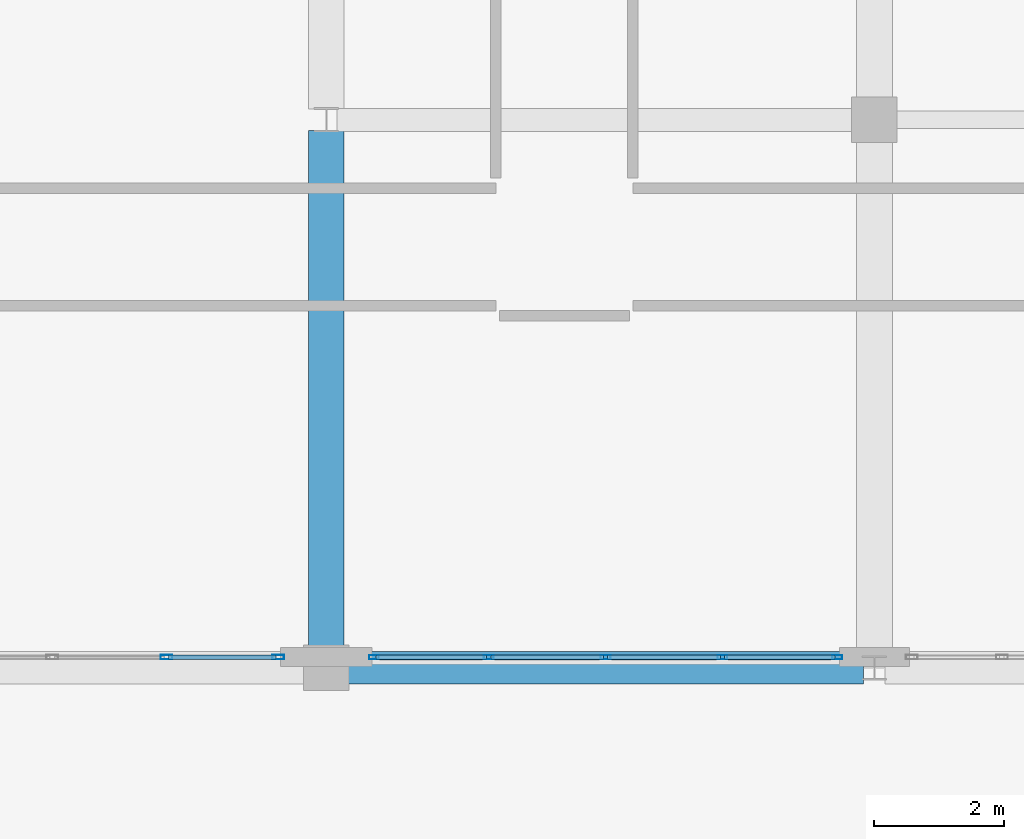
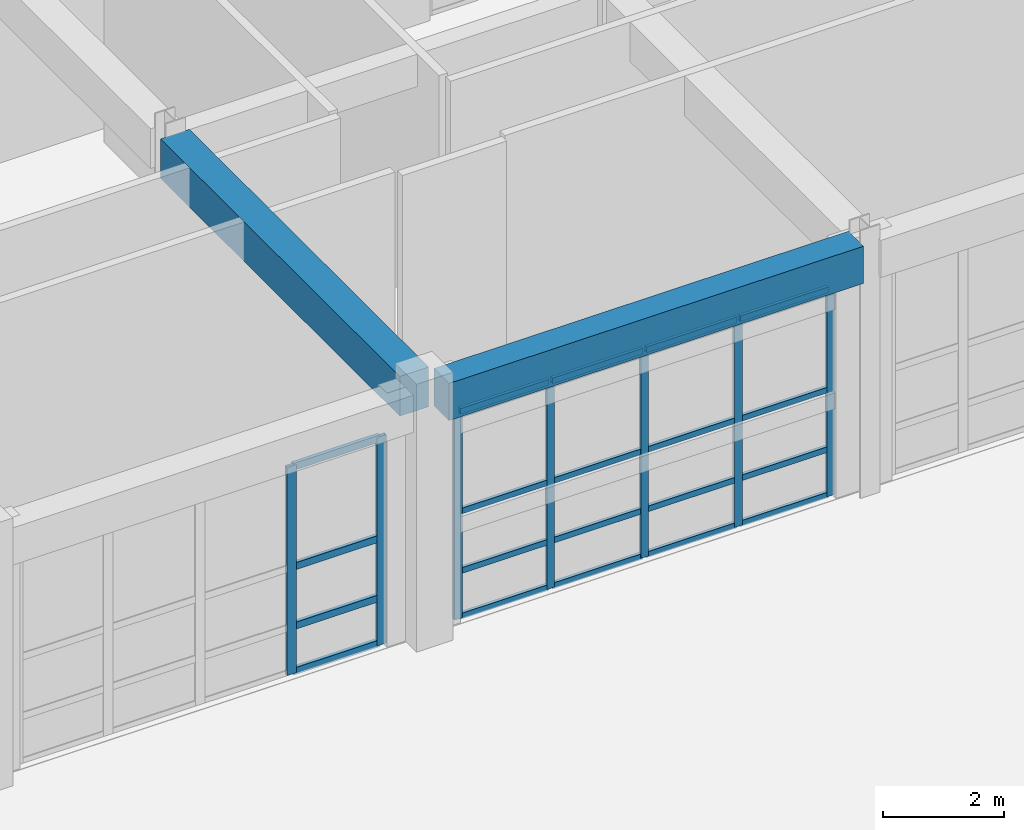
# One storey, part 66 of 148: 27 members, 2 beams, 2 elements without a shape of their own.
"""IFC4 building model written with IfcOpenShell, lengths in metres."""

from ifc_helpers import new_model, si_unit, direction, frame, origin, origin_2d, place, context, subcontext, project, spatial, rectangle, hollow_rectangle, extrude, material, layer, layer_set, material_profile, profile_set, type_object, element, aggregate, save


model = new_model("IFC4")

# Units and contexts
model_context = context("Model", 3, precision=1e-05, world=origin(), true_north=direction((0.0, 1.0)))
body_context = subcontext(model_context, "Body", "Model", "MODEL_VIEW")
ifc_project = project(units=[si_unit("LENGTHUNIT", "METRE"), si_unit("AREAUNIT", "SQUARE_METRE"), si_unit("VOLUMEUNIT", "CUBIC_METRE"), si_unit("PLANEANGLEUNIT", "RADIAN"), si_unit("MASSUNIT", "GRAM", prefix="KILO")], contexts=[model_context])

# Site, building, storey
site_placement = place(None, origin())
site = spatial("IfcSite", under=ifc_project, at=site_placement, CompositionType="ELEMENT")
building_placement = place(site_placement, origin())
building = spatial("IfcBuilding", under=site, at=building_placement, Name="Quendrovan Civic Courthouse", CompositionType="ELEMENT")
storey_placement = place(building_placement, origin())
storey = spatial("IfcBuildingStorey", under=building, at=storey_placement, Name="L01", CompositionType="ELEMENT", Elevation=0.0)

# Beams
ifc_material_1 = material(Name="Concrete C40/50", Category="concrete")
ifc_material_profile_1 = material_profile(ifc_material_1, rectangle(XDim=0.5, YDim=0.75, at=origin_2d()), Name="RC-BM-500x750")
ifc_profile_set_1 = profile_set([ifc_material_profile_1], Name="Concrete C40/50")
beam_type_1 = type_object("IfcBeamType", Name="BM-RC750", PredefinedType="SPANDREL", material=ifc_profile_set_1)
beam_1_placement = place(storey_placement, frame((84.330078125, 64.800048828125, 4.7451171875), z_axis=(1.0, 0.0, 0.0), x_axis=(0.0, 1.0, 0.0)))
element("IfcBeam", 1, at=beam_1_placement, inside=storey, type_object=beam_type_1, Name="L01 Girder X0295", PredefinedType="SPANDREL", context=body_context, shape_type="SweptSolid", body=[
    extrude(rectangle(XDim=0.5, YDim=0.75, at=origin_2d()), origin(), (0.0, 0.0, 1.0), 7.90283203125),
])
ifc_material_profile_2 = material_profile(ifc_material_1, rectangle(XDim=0.550048828125, YDim=0.800048828125, at=origin_2d()), Name="RC-BM-550x800")
ifc_profile_set_2 = profile_set([ifc_material_profile_2], Name="Concrete C40/50")
beam_type_2 = type_object("IfcBeamType", Name="BM-RC800", PredefinedType="BEAM", material=ifc_profile_set_2)
beam_2_placement = place(storey_placement, frame((84.0, 65.1298828125, 4.719970703125), z_axis=(0.0, 1.0, 0.0), x_axis=(-1.0, 0.0, 0.0)))
element("IfcBeam", 2, at=beam_2_placement, inside=storey, type_object=beam_type_2, Name="L01 Girder Y0436", PredefinedType="BEAM", context=body_context, shape_type="SweptSolid", body=[
    extrude(rectangle(XDim=0.550048828125, YDim=0.800048828125, at=origin_2d()), origin(), (0.0, 0.0, 1.0), 7.904052734375),
])

# Curtain wall, members
ifc_material_2 = material(Name="Bronze anodised aluminium and low-E glass", Category="aluminium")
ifc_layer_1 = layer(ifc_material_2, 0.179931640625, Name="Bronze anodised aluminium and low-E glass")
ifc_layer_set_1 = layer_set([ifc_layer_1], Name="Bronze anodised aluminium and low-E glass")
curtain_wall_type_1 = type_object("IfcCurtainWallType", Name="CW-U70x42", PredefinedType="USERDEFINED", material=ifc_layer_set_1)
curtain_wall_1_placement = place(storey_placement, origin())
curtain_wall_1 = element("IfcCurtainWall", 3, at=curtain_wall_1_placement, inside=storey, type_object=curtain_wall_type_1, Name="L01 Unitised Hurricane Curtain Wall CW-060", ObjectType="UNITISED CURTAIN WALL", PredefinedType="USERDEFINED")
ifc_material_3 = material(Name="Bronze anodised aluminium", Category="aluminium")
ifc_material_profile_3 = material_profile(ifc_material_3, hollow_rectangle(XDim=0.070068359375, YDim=0.179931640625, WallThickness=0.00390625, at=origin_2d()), Name="CW-MULL-70x180")
ifc_profile_set_3 = profile_set([ifc_material_profile_3], Name="Bronze anodised aluminium")
member_type_1 = type_object("IfcMemberType", Name="CW-MULL-A", PredefinedType="MULLION", material=ifc_profile_set_3)
member_1_placement = place(storey_placement, frame((83.264892578125, 64.965087890625, 0.0), z_axis=(0.0, 0.0, 1.0), x_axis=(0.0, -1.0, 0.0)))
member_1 = element("IfcMember", 4, at=member_1_placement, type_object=member_type_1, Name="CW-060 mullion 1", PredefinedType="MULLION", context=body_context, shape_type="SweptSolid", body=[
    extrude(hollow_rectangle(XDim=0.070068359375, YDim=0.179931640625, WallThickness=0.00390625, at=origin_2d()), origin(), (0.0, 0.0, 1.0), 4.199951171875),
])
member_2_placement = place(storey_placement, frame((81.550048828125, 64.965087890625, 0.0), z_axis=(0.0, 0.0, 1.0), x_axis=(0.0, -1.0, 0.0)))
member_2 = element("IfcMember", 5, at=member_2_placement, type_object=member_type_1, Name="CW-060 mullion 2", PredefinedType="MULLION", context=body_context, shape_type="SweptSolid", body=[
    extrude(hollow_rectangle(XDim=0.070068359375, YDim=0.179931640625, WallThickness=0.00390625, at=origin_2d()), origin(), (0.0, 0.0, 1.0), 4.199951171875),
])

ifc_layer_2 = layer(ifc_material_2, 0.179931640625, Name="Bronze anodised aluminium and low-E glass")
ifc_layer_set_2 = layer_set([ifc_layer_2], Name="Bronze anodised aluminium and low-E glass")
curtain_wall_type_2 = type_object("IfcCurtainWallType", Name="CW-U72x42", PredefinedType="USERDEFINED", material=ifc_layer_set_2)
curtain_wall_2_placement = place(storey_placement, origin())
curtain_wall_2 = element("IfcCurtainWall", 6, at=curtain_wall_2_placement, inside=storey, type_object=curtain_wall_type_2, Name="L01 Unitised Hurricane Curtain Wall CW-059", ObjectType="UNITISED CURTAIN WALL", PredefinedType="USERDEFINED")
ifc_material_profile_4 = material_profile(ifc_material_3, hollow_rectangle(XDim=0.06494140625, YDim=0.14990234375, WallThickness=0.00390625, at=origin_2d()), Name="CW-MULL-65x150")
ifc_profile_set_4 = profile_set([ifc_material_profile_4], Name="Bronze anodised aluminium")
member_type_2 = type_object("IfcMemberType", Name="CW-MULL-B", PredefinedType="MULLION", material=ifc_profile_set_4)
member_3_placement = place(storey_placement, frame((91.83056640625, 64.965087890625, 0.0), z_axis=(0.0, 0.0, 1.0), x_axis=(0.0, -1.0, 0.0)))
member_3 = element("IfcMember", 7, at=member_3_placement, type_object=member_type_2, Name="CW-059 mullion 1", PredefinedType="MULLION", context=body_context, shape_type="SweptSolid", body=[
    extrude(hollow_rectangle(XDim=0.06494140625, YDim=0.14990234375, WallThickness=0.00390625, at=origin_2d()), origin(), (0.0, 0.0, 1.0), 4.199951171875),
])
member_4_placement = place(storey_placement, frame((90.072265625, 64.965087890625, 0.0), z_axis=(0.0, 0.0, 1.0), x_axis=(0.0, -1.0, 0.0)))
member_4 = element("IfcMember", 8, at=member_4_placement, type_object=member_type_2, Name="CW-059 mullion 2", PredefinedType="MULLION", context=body_context, shape_type="SweptSolid", body=[
    extrude(hollow_rectangle(XDim=0.06494140625, YDim=0.14990234375, WallThickness=0.00390625, at=origin_2d()), origin(), (0.0, 0.0, 1.0), 4.199951171875),
])
member_5_placement = place(storey_placement, frame((88.281494140625, 64.965087890625, 0.0), z_axis=(0.0, 0.0, 1.0), x_axis=(0.0, -1.0, 0.0)))
member_5 = element("IfcMember", 9, at=member_5_placement, type_object=member_type_2, Name="CW-059 mullion 3", PredefinedType="MULLION", context=body_context, shape_type="SweptSolid", body=[
    extrude(hollow_rectangle(XDim=0.06494140625, YDim=0.14990234375, WallThickness=0.00390625, at=origin_2d()), origin(), (0.0, 0.0, 1.0), 4.199951171875),
])
member_6_placement = place(storey_placement, frame((86.49072265625, 64.965087890625, 0.0), z_axis=(0.0, 0.0, 1.0), x_axis=(0.0, -1.0, 0.0)))
member_6 = element("IfcMember", 10, at=member_6_placement, type_object=member_type_2, Name="CW-059 mullion 4", PredefinedType="MULLION", context=body_context, shape_type="SweptSolid", body=[
    extrude(hollow_rectangle(XDim=0.06494140625, YDim=0.14990234375, WallThickness=0.00390625, at=origin_2d()), origin(), (0.0, 0.0, 1.0), 4.199951171875),
])
member_7_placement = place(storey_placement, frame((84.732421875, 64.965087890625, 0.0), z_axis=(0.0, 0.0, 1.0), x_axis=(0.0, -1.0, 0.0)))
member_7 = element("IfcMember", 11, at=member_7_placement, type_object=member_type_2, Name="CW-059 mullion 5", PredefinedType="MULLION", context=body_context, shape_type="SweptSolid", body=[
    extrude(hollow_rectangle(XDim=0.06494140625, YDim=0.14990234375, WallThickness=0.00390625, at=origin_2d()), origin(), (0.0, 0.0, 1.0), 4.199951171875),
])

# Member
ifc_material_profile_5 = material_profile(ifc_material_3, hollow_rectangle(XDim=0.070068359375, YDim=0.139892578125, WallThickness=0.00390625, at=origin_2d()), Name="CW-TRAN-70x140")
ifc_profile_set_5 = profile_set([ifc_material_profile_5], Name="Bronze anodised aluminium")
member_type_3 = type_object("IfcMemberType", Name="CW-TRAN-A", PredefinedType="USERDEFINED", material=ifc_profile_set_5)
member_8_placement = place(storey_placement, frame((83.22998046875, 64.965087890625, 0.034912109375), z_axis=(-1.0, 0.0, 0.0), x_axis=(0.0, -1.0, 0.0)))
member_8 = element("IfcMember", 12, at=member_8_placement, type_object=member_type_3, Name="CW-060 transom 1.1", ObjectType="TRANSOM", PredefinedType="USERDEFINED", context=body_context, shape_type="SweptSolid", body=[
    extrude(hollow_rectangle(XDim=0.070068359375, YDim=0.139892578125, WallThickness=0.00390625, at=origin_2d()), origin(), (0.0, 0.0, 1.0), 1.64501953125),
])

member_9_placement = place(storey_placement, frame((83.22998046875, 64.965087890625, 0.949951171875), z_axis=(-1.0, 0.0, 0.0), x_axis=(0.0, -1.0, 0.0)))
member_9 = element("IfcMember", 13, at=member_9_placement, type_object=member_type_3, Name="CW-060 transom 1.2", ObjectType="TRANSOM", PredefinedType="USERDEFINED", context=body_context, shape_type="SweptSolid", body=[
    extrude(hollow_rectangle(XDim=0.070068359375, YDim=0.139892578125, WallThickness=0.00390625, at=origin_2d()), origin(), (0.0, 0.0, 1.0), 1.64501953125),
])

member_10_placement = place(storey_placement, frame((83.22998046875, 64.965087890625, 2.14990234375), z_axis=(-1.0, 0.0, 0.0), x_axis=(0.0, -1.0, 0.0)))
member_10 = element("IfcMember", 14, at=member_10_placement, type_object=member_type_3, Name="CW-060 transom 1.3", ObjectType="TRANSOM", PredefinedType="USERDEFINED", context=body_context, shape_type="SweptSolid", body=[
    extrude(hollow_rectangle(XDim=0.070068359375, YDim=0.139892578125, WallThickness=0.00390625, at=origin_2d()), origin(), (0.0, 0.0, 1.0), 1.64501953125),
])

member_11_placement = place(storey_placement, frame((83.22998046875, 64.965087890625, 4.1650390625), z_axis=(-1.0, 0.0, 0.0), x_axis=(0.0, -1.0, 0.0)))
member_11 = element("IfcMember", 15, at=member_11_placement, type_object=member_type_3, Name="CW-060 transom 1.4", ObjectType="TRANSOM", PredefinedType="USERDEFINED", context=body_context, shape_type="SweptSolid", body=[
    extrude(hollow_rectangle(XDim=0.070068359375, YDim=0.139892578125, WallThickness=0.00390625, at=origin_2d()), origin(), (0.0, 0.0, 1.0), 1.64501953125),
])

aggregate(curtain_wall_1, [member_1, member_2, member_8, member_9, member_10, member_11])

ifc_material_profile_6 = material_profile(ifc_material_3, hollow_rectangle(XDim=0.06494140625, YDim=0.114990234375, WallThickness=0.00390625, at=origin_2d()), Name="CW-TRAN-65x115")
ifc_profile_set_6 = profile_set([ifc_material_profile_6], Name="Bronze anodised aluminium")
member_type_4 = type_object("IfcMemberType", Name="CW-TRAN-B", PredefinedType="USERDEFINED", material=ifc_profile_set_6)
member_12_placement = place(storey_placement, frame((91.798095703125, 64.965087890625, 0.032470703125), z_axis=(-1.0, 0.0, 0.0), x_axis=(0.0, -1.0, 0.0)))
member_12 = element("IfcMember", 16, at=member_12_placement, type_object=member_type_4, Name="CW-059 transom 1.1", ObjectType="TRANSOM", PredefinedType="USERDEFINED", context=body_context, shape_type="SweptSolid", body=[
    extrude(hollow_rectangle(XDim=0.06494140625, YDim=0.114990234375, WallThickness=0.00390625, at=origin_2d()), origin(), (0.0, 0.0, 1.0), 1.693359375),
])

member_13_placement = place(storey_placement, frame((91.798095703125, 64.965087890625, 0.949951171875), z_axis=(-1.0, 0.0, 0.0), x_axis=(0.0, -1.0, 0.0)))
member_13 = element("IfcMember", 17, at=member_13_placement, type_object=member_type_4, Name="CW-059 transom 1.2", ObjectType="TRANSOM", PredefinedType="USERDEFINED", context=body_context, shape_type="SweptSolid", body=[
    extrude(hollow_rectangle(XDim=0.06494140625, YDim=0.114990234375, WallThickness=0.00390625, at=origin_2d()), origin(), (0.0, 0.0, 1.0), 1.693359375),
])

member_14_placement = place(storey_placement, frame((91.798095703125, 64.965087890625, 2.14990234375), z_axis=(-1.0, 0.0, 0.0), x_axis=(0.0, -1.0, 0.0)))
member_14 = element("IfcMember", 18, at=member_14_placement, type_object=member_type_4, Name="CW-059 transom 1.3", ObjectType="TRANSOM", PredefinedType="USERDEFINED", context=body_context, shape_type="SweptSolid", body=[
    extrude(hollow_rectangle(XDim=0.06494140625, YDim=0.114990234375, WallThickness=0.00390625, at=origin_2d()), origin(), (0.0, 0.0, 1.0), 1.693359375),
])

member_15_placement = place(storey_placement, frame((91.798095703125, 64.965087890625, 4.16748046875), z_axis=(-1.0, 0.0, 0.0), x_axis=(0.0, -1.0, 0.0)))
member_15 = element("IfcMember", 19, at=member_15_placement, type_object=member_type_4, Name="CW-059 transom 1.4", ObjectType="TRANSOM", PredefinedType="USERDEFINED", context=body_context, shape_type="SweptSolid", body=[
    extrude(hollow_rectangle(XDim=0.06494140625, YDim=0.114990234375, WallThickness=0.00390625, at=origin_2d()), origin(), (0.0, 0.0, 1.0), 1.693359375),
])

member_16_placement = place(storey_placement, frame((90.039794921875, 64.965087890625, 0.032470703125), z_axis=(-1.0, 0.0, 0.0), x_axis=(0.0, -1.0, 0.0)))
member_16 = element("IfcMember", 20, at=member_16_placement, type_object=member_type_4, Name="CW-059 transom 2.1", ObjectType="TRANSOM", PredefinedType="USERDEFINED", context=body_context, shape_type="SweptSolid", body=[
    extrude(hollow_rectangle(XDim=0.06494140625, YDim=0.114990234375, WallThickness=0.00390625, at=origin_2d()), origin(), (0.0, 0.0, 1.0), 1.725830078125),
])

member_17_placement = place(storey_placement, frame((90.039794921875, 64.965087890625, 0.949951171875), z_axis=(-1.0, 0.0, 0.0), x_axis=(0.0, -1.0, 0.0)))
member_17 = element("IfcMember", 21, at=member_17_placement, type_object=member_type_4, Name="CW-059 transom 2.2", ObjectType="TRANSOM", PredefinedType="USERDEFINED", context=body_context, shape_type="SweptSolid", body=[
    extrude(hollow_rectangle(XDim=0.06494140625, YDim=0.114990234375, WallThickness=0.00390625, at=origin_2d()), origin(), (0.0, 0.0, 1.0), 1.725830078125),
])

member_18_placement = place(storey_placement, frame((90.039794921875, 64.965087890625, 2.14990234375), z_axis=(-1.0, 0.0, 0.0), x_axis=(0.0, -1.0, 0.0)))
member_18 = element("IfcMember", 22, at=member_18_placement, type_object=member_type_4, Name="CW-059 transom 2.3", ObjectType="TRANSOM", PredefinedType="USERDEFINED", context=body_context, shape_type="SweptSolid", body=[
    extrude(hollow_rectangle(XDim=0.06494140625, YDim=0.114990234375, WallThickness=0.00390625, at=origin_2d()), origin(), (0.0, 0.0, 1.0), 1.725830078125),
])

member_19_placement = place(storey_placement, frame((90.039794921875, 64.965087890625, 4.16748046875), z_axis=(-1.0, 0.0, 0.0), x_axis=(0.0, -1.0, 0.0)))
member_19 = element("IfcMember", 23, at=member_19_placement, type_object=member_type_4, Name="CW-059 transom 2.4", ObjectType="TRANSOM", PredefinedType="USERDEFINED", context=body_context, shape_type="SweptSolid", body=[
    extrude(hollow_rectangle(XDim=0.06494140625, YDim=0.114990234375, WallThickness=0.00390625, at=origin_2d()), origin(), (0.0, 0.0, 1.0), 1.725830078125),
])

member_20_placement = place(storey_placement, frame((88.2490234375, 64.965087890625, 0.032470703125), z_axis=(-1.0, 0.0, 0.0), x_axis=(0.0, -1.0, 0.0)))
member_20 = element("IfcMember", 24, at=member_20_placement, type_object=member_type_4, Name="CW-059 transom 3.1", ObjectType="TRANSOM", PredefinedType="USERDEFINED", context=body_context, shape_type="SweptSolid", body=[
    extrude(hollow_rectangle(XDim=0.06494140625, YDim=0.114990234375, WallThickness=0.00390625, at=origin_2d()), origin(), (0.0, 0.0, 1.0), 1.725830078125),
])

member_21_placement = place(storey_placement, frame((88.2490234375, 64.965087890625, 0.949951171875), z_axis=(-1.0, 0.0, 0.0), x_axis=(0.0, -1.0, 0.0)))
member_21 = element("IfcMember", 25, at=member_21_placement, type_object=member_type_4, Name="CW-059 transom 3.2", ObjectType="TRANSOM", PredefinedType="USERDEFINED", context=body_context, shape_type="SweptSolid", body=[
    extrude(hollow_rectangle(XDim=0.06494140625, YDim=0.114990234375, WallThickness=0.00390625, at=origin_2d()), origin(), (0.0, 0.0, 1.0), 1.725830078125),
])

member_22_placement = place(storey_placement, frame((88.2490234375, 64.965087890625, 2.14990234375), z_axis=(-1.0, 0.0, 0.0), x_axis=(0.0, -1.0, 0.0)))
member_22 = element("IfcMember", 26, at=member_22_placement, type_object=member_type_4, Name="CW-059 transom 3.3", ObjectType="TRANSOM", PredefinedType="USERDEFINED", context=body_context, shape_type="SweptSolid", body=[
    extrude(hollow_rectangle(XDim=0.06494140625, YDim=0.114990234375, WallThickness=0.00390625, at=origin_2d()), origin(), (0.0, 0.0, 1.0), 1.725830078125),
])

member_23_placement = place(storey_placement, frame((88.2490234375, 64.965087890625, 4.16748046875), z_axis=(-1.0, 0.0, 0.0), x_axis=(0.0, -1.0, 0.0)))
member_23 = element("IfcMember", 27, at=member_23_placement, type_object=member_type_4, Name="CW-059 transom 3.4", ObjectType="TRANSOM", PredefinedType="USERDEFINED", context=body_context, shape_type="SweptSolid", body=[
    extrude(hollow_rectangle(XDim=0.06494140625, YDim=0.114990234375, WallThickness=0.00390625, at=origin_2d()), origin(), (0.0, 0.0, 1.0), 1.725830078125),
])

member_24_placement = place(storey_placement, frame((86.458251953125, 64.965087890625, 0.032470703125), z_axis=(-1.0, 0.0, 0.0), x_axis=(0.0, -1.0, 0.0)))
member_24 = element("IfcMember", 28, at=member_24_placement, type_object=member_type_4, Name="CW-059 transom 4.1", ObjectType="TRANSOM", PredefinedType="USERDEFINED", context=body_context, shape_type="SweptSolid", body=[
    extrude(hollow_rectangle(XDim=0.06494140625, YDim=0.114990234375, WallThickness=0.00390625, at=origin_2d()), origin(), (0.0, 0.0, 1.0), 1.693359375),
])

member_25_placement = place(storey_placement, frame((86.458251953125, 64.965087890625, 0.949951171875), z_axis=(-1.0, 0.0, 0.0), x_axis=(0.0, -1.0, 0.0)))
member_25 = element("IfcMember", 29, at=member_25_placement, type_object=member_type_4, Name="CW-059 transom 4.2", ObjectType="TRANSOM", PredefinedType="USERDEFINED", context=body_context, shape_type="SweptSolid", body=[
    extrude(hollow_rectangle(XDim=0.06494140625, YDim=0.114990234375, WallThickness=0.00390625, at=origin_2d()), origin(), (0.0, 0.0, 1.0), 1.693359375),
])

member_26_placement = place(storey_placement, frame((86.458251953125, 64.965087890625, 2.14990234375), z_axis=(-1.0, 0.0, 0.0), x_axis=(0.0, -1.0, 0.0)))
member_26 = element("IfcMember", 30, at=member_26_placement, type_object=member_type_4, Name="CW-059 transom 4.3", ObjectType="TRANSOM", PredefinedType="USERDEFINED", context=body_context, shape_type="SweptSolid", body=[
    extrude(hollow_rectangle(XDim=0.06494140625, YDim=0.114990234375, WallThickness=0.00390625, at=origin_2d()), origin(), (0.0, 0.0, 1.0), 1.693359375),
])

member_27_placement = place(storey_placement, frame((86.458251953125, 64.965087890625, 4.16748046875), z_axis=(-1.0, 0.0, 0.0), x_axis=(0.0, -1.0, 0.0)))
member_27 = element("IfcMember", 31, at=member_27_placement, type_object=member_type_4, Name="CW-059 transom 4.4", ObjectType="TRANSOM", PredefinedType="USERDEFINED", context=body_context, shape_type="SweptSolid", body=[
    extrude(hollow_rectangle(XDim=0.06494140625, YDim=0.114990234375, WallThickness=0.00390625, at=origin_2d()), origin(), (0.0, 0.0, 1.0), 1.693359375),
])

aggregate(curtain_wall_2, [member_3, member_4, member_5, member_6, member_7, member_12, member_13, member_14, member_15, member_16, member_17, member_18, member_19, member_20, member_21, member_22, member_23, member_24, member_25, member_26, member_27])

save(model, "model.ifc")
